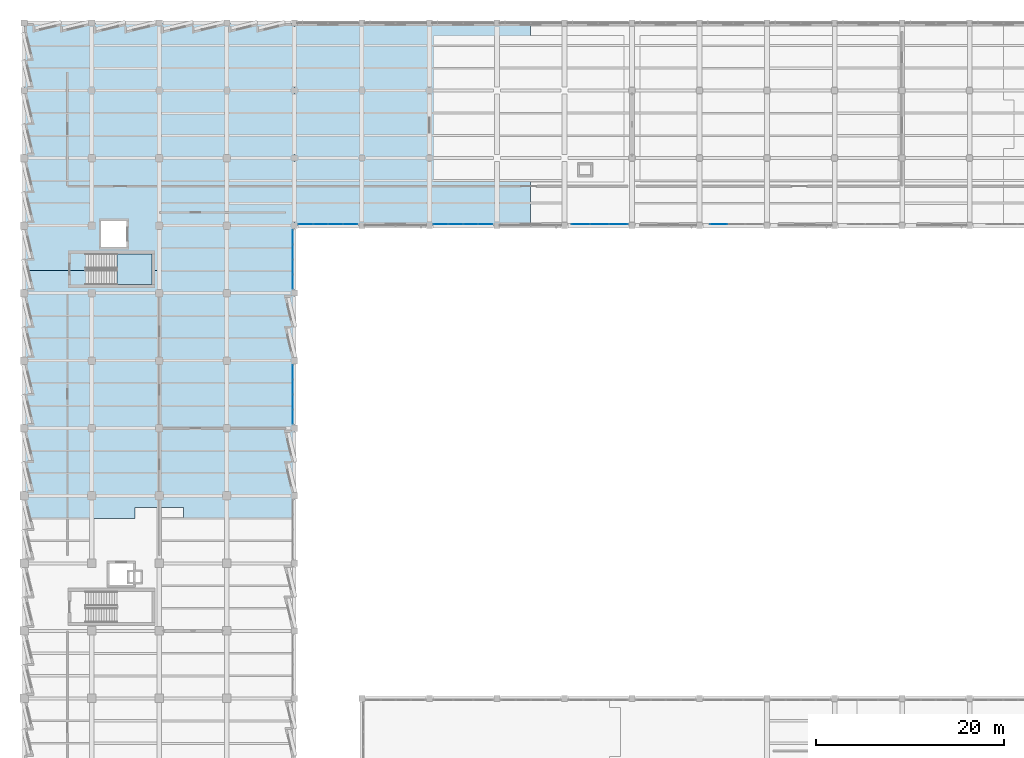
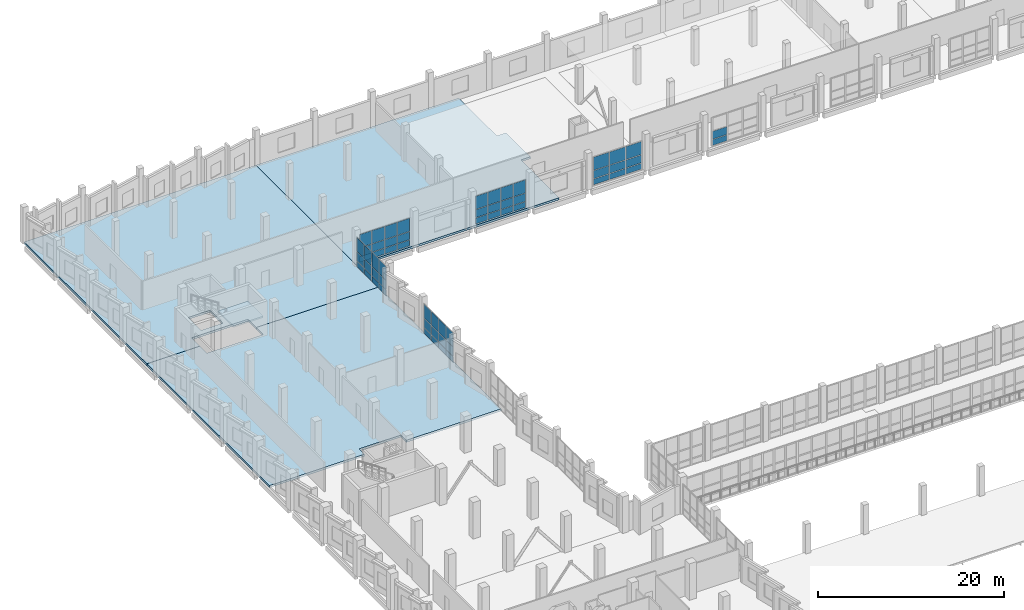
# One storey, part 83 of 127: 59 plates, 4 slabs, 7 elements without a shape of their own.
"""IFC4 building model written with IfcOpenShell, lengths in metres."""

import ifcopenshell
import ifcopenshell.guid

model = None  # the IFC model being written
_history = None  # IfcOwnerHistory: only IFC2X3 demands one
_inside = {}  # id of a spatial element -> (the spatial element, [elements in it])
_under = {}  # id of a project, library or spatial element -> (it, [spatial elements below it])
_declared = {}  # id of a project -> (the project, [libraries it declares])
_typed = {}  # id of a type object -> (the type object, [elements of that type])
_made_of = {}  # id of a material, layer set ... -> (it, [elements and type objects made of it])


def new_model(schema):
    """Start an empty IFC model of exactly this schema.

    Asked for "IFC4X3", IfcOpenShell would pick the latest addendum, in which some entities
    have other attributes; the version numbers below select the first issue.
    IFC2X3 requires an IfcOwnerHistory on every rooted entity: one is made here for all.
    """
    global model, _history
    if schema == "IFC4X3":
        model = ifcopenshell.file(schema_version=(4, 3, 0, 0))
    else:
        model = ifcopenshell.file(schema=schema)
    _inside.clear()
    _under.clear()
    _declared.clear()
    _typed.clear()
    _made_of.clear()
    _history = None
    if model.schema == "IFC2X3":
        org = make("IfcOrganization", Name="unknown")
        user = make(
            "IfcPersonAndOrganization",
            ThePerson=make("IfcPerson", FamilyName="unknown"),
            TheOrganization=org,
        )
        app = make(
            "IfcApplication",
            ApplicationDeveloper=org,
            Version="unknown",
            ApplicationFullName="unknown",
            ApplicationIdentifier="unknown",
        )
        _history = make(
            "IfcOwnerHistory",
            OwningUser=user,
            OwningApplication=app,
            ChangeAction="ADDED",
            CreationDate=0,
        )
    return model


def make(cls, **values):
    """One entity of the class cls with the attributes given. An attribute that is None is left unset."""
    return model.create_entity(
        cls, **{name: value for name, value in values.items() if value is not None}
    )


def rooted(cls, **values):
    """An entity with a GlobalId (a new one), such as an element, a storey or a relation."""
    return make(cls, GlobalId=ifcopenshell.guid.new(), OwnerHistory=_history, **values)


def si_unit(unit_type, name, prefix=None):
    """IfcSIUnit, for example si_unit("LENGTHUNIT", "METRE", prefix="MILLI")."""
    return make("IfcSIUnit", UnitType=unit_type, Prefix=prefix, Name=name)


def assignment(units):
    """IfcUnitAssignment: the units of a project."""
    return None if units is None else make("IfcUnitAssignment", Units=units)


def point(xyz):
    """IfcCartesianPoint."""
    return None if xyz is None else make("IfcCartesianPoint", Coordinates=xyz)


def direction(xyz):
    """IfcDirection."""
    return None if xyz is None else make("IfcDirection", DirectionRatios=xyz)


def frame(location, z_axis=None, x_axis=None):
    """IfcAxis2Placement3D, a coordinate frame: its origin and axes. An axis left out is left unset."""
    return make(
        "IfcAxis2Placement3D",
        Location=point(location),
        Axis=direction(z_axis),
        RefDirection=direction(x_axis),
    )


def frame_2d(location, x_axis=None):
    """IfcAxis2Placement2D, a coordinate frame in the plane: its origin and x axis."""
    return make(
        "IfcAxis2Placement2D", Location=point(location), RefDirection=direction(x_axis)
    )


def origin():
    """The frame at (0, 0, 0) with its axes left unset."""
    return frame((0.0, 0.0, 0.0))


def origin_2d():
    """The frame at (0, 0) in the plane with its x axis left unset."""
    return frame_2d((0.0, 0.0))


def place(relative_to, where):
    """IfcLocalPlacement: puts the frame where relative to a parent placement (None: the world)."""
    return make(
        "IfcLocalPlacement", PlacementRelTo=relative_to, RelativePlacement=where
    )


def context(
    kind, dimensions, precision=None, world=None, true_north=None, identifier=None
):
    """IfcGeometricRepresentationContext, for example the 3D "Model" context."""
    return make(
        "IfcGeometricRepresentationContext",
        ContextIdentifier=identifier,
        ContextType=kind,
        CoordinateSpaceDimension=dimensions,
        Precision=precision,
        WorldCoordinateSystem=world,
        TrueNorth=true_north,
    )


def subcontext(parent, identifier, kind, view, scale=None):
    """IfcGeometricRepresentationSubContext, for example "Body" below "Model"."""
    return make(
        "IfcGeometricRepresentationSubContext",
        ContextIdentifier=identifier,
        ContextType=kind,
        ParentContext=parent,
        TargetScale=scale,
        TargetView=view,
    )


def project(units=None, contexts=None):
    """IfcProject with its units and contexts."""
    return rooted(
        "IfcProject",
        Name="project",
        RepresentationContexts=contexts,
        UnitsInContext=assignment(units),
    )


def spatial(cls, under=None, at=None, **own):
    """A site, building, storey or space (cls), placed at a placement, below another one or the project."""
    s = rooted(cls, ObjectPlacement=at, **own)
    if under is not None:
        _under.setdefault(under.id(), (under, []))[1].append(s)
    return s


def polyline(points):
    """IfcPolyline through the points."""
    return make("IfcPolyline", Points=[point(p) for p in points])


def profile(cls, at=None, kind="AREA", **sizes):
    """A parametric profile (cls). Its sizes go by their IFC names, for example OverallWidth=200.0."""
    return make(cls, ProfileType=kind, Position=at, **sizes)


def rectangle(**sizes):
    """IfcRectangleProfileDef."""
    return profile("IfcRectangleProfileDef", **sizes)


def outline(outer, holes=None, kind="AREA"):
    """IfcArbitraryClosedProfileDef: a profile drawn as a closed curve; with holes, ...WithVoids."""
    if holes is None:
        return make("IfcArbitraryClosedProfileDef", ProfileType=kind, OuterCurve=outer)
    return make(
        "IfcArbitraryProfileDefWithVoids",
        ProfileType=kind,
        OuterCurve=outer,
        InnerCurves=holes,
    )


def extrude(swept, where, along, depth):
    """IfcExtrudedAreaSolid: the profile swept, set in the frame where, extruded along a direction by depth."""
    return make(
        "IfcExtrudedAreaSolid",
        SweptArea=swept,
        Position=where,
        ExtrudedDirection=direction(along),
        Depth=depth,
    )


def shape(context_of_items, identifier, shape_type, items):
    """IfcShapeRepresentation: the items that make up one representation, for example the "Body"."""
    return make(
        "IfcShapeRepresentation",
        ContextOfItems=context_of_items,
        RepresentationIdentifier=identifier,
        RepresentationType=shape_type,
        Items=items,
    )


def material(Name=None, Category=None):
    """IfcMaterial."""
    return make("IfcMaterial", Name=Name, Category=Category)


def layer(
    of_material, thickness, ventilated=None, Name=None, Category=None, Priority=None
):
    """IfcMaterialLayer: one layer of a wall or slab, of a material (None: an air gap)."""
    return make(
        "IfcMaterialLayer",
        Material=of_material,
        LayerThickness=thickness,
        IsVentilated=ventilated,
        Name=Name,
        Category=Category,
        Priority=Priority,
    )


def layer_set(layers, Name=None):
    """IfcMaterialLayerSet."""
    return make("IfcMaterialLayerSet", MaterialLayers=layers, LayerSetName=Name)


def made_of(thing, what):
    """Note that an element or type object is made of a material, layer set ...; save() writes the relation."""
    if what is not None:
        _made_of.setdefault(what.id(), (what, []))[1].append(thing)
    return thing


def type_object(cls, material=None, **own):
    """A type object (cls), such as IfcWallType, which elements share."""
    return made_of(rooted(cls, **own), material)


def element(
    cls,
    number,
    at=None,
    inside=None,
    cuts=None,
    type_object=None,
    material=None,
    context=None,
    identifier="Body",
    shape_type=None,
    held_by="IfcProductDefinitionShape",
    body=None,
    shapes=None,
    **own,
):
    """One element of the class cls, such as IfcWall. Its Tag is "e" and its number.

    at: its placement. inside: the storey or other place that contains it. cuts: it is an
    opening in that element (IfcRelVoidsElement). A single representation is given by context,
    identifier, shape_type and body (its items); several are given by shapes. held_by: the class
    of the entity that holds the representations. save() writes the other relations.
    """
    e = rooted(cls, Tag="e%d" % number, ObjectPlacement=at, **own)
    if body is not None:
        shapes = [shape(context, identifier, shape_type, body)]
    if shapes is not None:
        e.Representation = make(held_by, Representations=shapes)
    if inside is not None:
        _inside.setdefault(inside.id(), (inside, []))[1].append(e)
    if cuts is not None:
        rooted(
            "IfcRelVoidsElement", RelatingBuildingElement=cuts, RelatedOpeningElement=e
        )
    if type_object is not None:
        _typed.setdefault(type_object.id(), (type_object, []))[1].append(e)
    return made_of(e, material)


def aggregate(whole, parts):
    """IfcRelAggregates: a whole, such as a stair, and the parts it consists of."""
    return rooted("IfcRelAggregates", RelatingObject=whole, RelatedObjects=parts)


def save(model, path):
    """Write the relations noted so far, then the file.

    IfcRelAggregates (storeys below a building ...), IfcRelContainedInSpatialStructure (elements
    in a storey), IfcRelDefinesByType, IfcRelAssociatesMaterial and IfcRelDeclares: one each for
    every whole, place, type object, material and project.
    """
    for whole, parts in _under.values():
        aggregate(whole, parts)
    for where, things in _inside.values():
        rooted(
            "IfcRelContainedInSpatialStructure",
            RelatedElements=things,
            RelatingStructure=where,
        )
    for kind, things in _typed.values():
        rooted("IfcRelDefinesByType", RelatedObjects=things, RelatingType=kind)
    for what, things in _made_of.values():
        rooted("IfcRelAssociatesMaterial", RelatedObjects=things, RelatingMaterial=what)
    for by, libraries in _declared.values():
        rooted("IfcRelDeclares", RelatingContext=by, RelatedDefinitions=libraries)
    model.write(path)


model = new_model("IFC4")

# Units and contexts
model_context = context("Model", 3, precision=1e-05, world=origin(), true_north=direction((0.0, 1.0)))
body_context = subcontext(model_context, "Body", "Model", "MODEL_VIEW")
ifc_project = project(units=[si_unit("LENGTHUNIT", "METRE"), si_unit("AREAUNIT", "SQUARE_METRE"), si_unit("VOLUMEUNIT", "CUBIC_METRE"), si_unit("PLANEANGLEUNIT", "RADIAN"), si_unit("MASSUNIT", "GRAM", prefix="KILO")], contexts=[model_context])

# Site, building, storey
site_placement = place(None, origin())
site = spatial("IfcSite", under=ifc_project, at=site_placement, CompositionType="ELEMENT")
building_placement = place(site_placement, origin())
building = spatial("IfcBuilding", under=site, at=building_placement, Name="Kalmorath City Hall", CompositionType="ELEMENT")
storey_placement = place(building_placement, frame((0.0, 0.0, 5.39990234375)))
storey = spatial("IfcBuildingStorey", under=building, at=storey_placement, Name="L01", CompositionType="ELEMENT", Elevation=5.39990234375)

# Slabs
ifc_material_1 = material(Name="Concrete C40/50", Category="concrete")
ifc_layer_1 = layer(ifc_material_1, 0.280029296875)
ifc_layer_set_1 = layer_set([ifc_layer_1], Name="Concrete C40/50")
slab_type_1 = type_object("IfcSlabType", Name="Concrete composite floor slab 280", PredefinedType="FLOOR", material=ifc_layer_set_1)
slab_1_placement = place(storey_placement, frame((0.0, 0.0, -0.27978515625)))
element("IfcSlab", 1, at=slab_1_placement, inside=storey, type_object=slab_type_1, Name="L01 West Sawtooth Wing and Civic Storm Arcade slab FS2-2", PredefinedType="FLOOR", context=body_context, shape_type="SweptSolid", body=[
    extrude(outline(polyline([(17.0, 62.39990234375), (17.0, 63.550048828125), (11.800048828125, 63.550048828125), (11.800048828125, 62.39990234375), (0.0, 62.39990234375), (0.0, 88.800048828125), (6.590087890625, 88.800048828125), (6.590087890625, 87.300048828125), (13.60009765625, 87.300048828125), (13.60009765625, 88.800048828125), (28.800048828125, 88.800048828125), (28.800048828125, 62.39990234375), (17.0, 62.39990234375)])), origin(), (0.0, 0.0, 1.0), 0.27978515625),
])
slab_2_placement = place(storey_placement, frame((0.0, 0.0, -0.27978515625)))
element("IfcSlab", 2, at=slab_2_placement, inside=storey, type_object=slab_type_1, Name="L01 West Sawtooth Wing and Civic Storm Arcade slab FS2-3", PredefinedType="FLOOR", context=body_context, shape_type="SweptSolid", body=[
    extrude(outline(polyline([(28.800048828125, 115.199951171875), (28.800048828125, 88.800048828125), (13.60009765625, 88.800048828125), (13.60009765625, 90.60009765625), (6.590087890625, 90.60009765625), (6.590087890625, 88.800048828125), (0.0, 88.800048828125), (0.0, 115.199951171875), (28.800048828125, 115.199951171875)]), holes=[polyline([(8.199951171875, 94.10009765625), (8.199951171875, 91.300048828125), (10.89990234375, 91.300048828125), (10.89990234375, 94.10009765625), (8.199951171875, 94.10009765625)])]), origin(), (0.0, 0.0, 1.0), 0.27978515625),
])
slab_3_placement = place(storey_placement, frame((0.0, 0.0, -0.27978515625)))
element("IfcSlab", 3, at=slab_3_placement, inside=storey, type_object=slab_type_1, Name="L01 Basalt Rear Committee Wing slab FS2-1", PredefinedType="FLOOR", context=body_context, shape_type="SweptSolid", body=[
    extrude(outline(polyline([(28.800048828125, 115.199951171875), (54.0, 115.199951171875), (54.0, 107.0), (55.14990234375, 107.0), (55.14990234375, 101.800048828125), (54.0, 101.800048828125), (54.0, 93.60009765625), (28.800048828125, 93.60009765625), (28.800048828125, 115.199951171875)])), origin(), (0.0, 0.0, 1.0), 0.27978515625),
])

# Stair, slab
ifc_material_2 = material(Name="Concrete C40/50", Category="concrete")
stair_type = type_object("IfcStairType", Name="Dogleg concrete exit stair 26R x 185mm W1550", PredefinedType="HALF_TURN_STAIR", material=ifc_material_2)
stair_placement = place(storey_placement, origin())
stair = element("IfcStair", 4, at=stair_placement, inside=storey, type_object=stair_type, Name="L01 Protected exit stair ST-4", PredefinedType="HALF_TURN_STAIR")
ifc_material_3 = material(Name="Concrete C40/50", Category="concrete")
ifc_layer_2 = layer(ifc_material_3, 0.199951171875)
ifc_layer_set_2 = layer_set([ifc_layer_2], Name="Concrete C40/50")
slab_type_2 = type_object("IfcSlabType", Name="Concrete stair half-landing slab 200", PredefinedType="LANDING", material=ifc_layer_set_2)
slab_4_placement = place(storey_placement, frame((0.0, 0.0, 2.2001953125)))
slab_4 = element("IfcSlab", 5, at=slab_4_placement, type_object=slab_type_2, Name="ST-4 landing 1", PredefinedType="LANDING", context=body_context, shape_type="SweptSolid", body=[
    extrude(outline(polyline([(9.909912109375, 87.300048828125), (13.60009765625, 87.300048828125), (13.60009765625, 90.60009765625), (9.909912109375, 90.60009765625), (9.909912109375, 87.300048828125)])), origin(), (0.0, 0.0, 1.0), 0.199951171875),
])
aggregate(stair, [slab_4])

# Curtain wall, plates
ifc_material_4 = material(Name="Anodised aluminium and laminated glass", Category="aluminium")
curtain_wall_type_1 = type_object("IfcCurtainWallType", Name="Unitised hurricane curtain wall 5724x3751 M1750", PredefinedType="NOTDEFINED", material=ifc_material_4)
curtain_wall_1_placement = place(storey_placement, origin())
curtain_wall_1 = element("IfcCurtainWall", 6, at=curtain_wall_1_placement, inside=storey, type_object=curtain_wall_type_1, Name="L01 curtain wall CW-57X38M18 #104", PredefinedType="NOTDEFINED")
ifc_material_5 = material(Name="Hurricane laminated low-E glass", Category="glass")
ifc_layer_3 = layer(ifc_material_5, 0.028076171875)
ifc_layer_set_3 = layer_set([ifc_layer_3], Name="Hurricane laminated low-E glass")
plate_type = type_object("IfcPlateType", Name="Courtyard solar-control glazed panel 28", PredefinedType="CURTAIN_PANEL", material=ifc_layer_set_3)
plate_1_placement = place(storey_placement, frame((74.031494140625, 93.760009765625, 0.06005859375), z_axis=(0.0, 0.0, 1.0), x_axis=(-1.0, 0.0, 0.0)))
plate_1 = element("IfcPlate", 7, at=plate_1_placement, type_object=plate_type, Name="CW-57X38M18 panel 3.1", PredefinedType="CURTAIN_PANEL", context=body_context, shape_type="SweptSolid", body=[
    extrude(rectangle(XDim=1.810302734375, YDim=0.028076171875, at=origin_2d()), origin(), (0.0, 0.0, 1.0), 0.760009765625),
])
plate_2_placement = place(storey_placement, frame((74.031494140625, 93.760009765625, 0.880126953125), z_axis=(0.0, 0.0, 1.0), x_axis=(-1.0, 0.0, 0.0)))
plate_2 = element("IfcPlate", 8, at=plate_2_placement, type_object=plate_type, Name="CW-57X38M18 panel 3.2", PredefinedType="CURTAIN_PANEL", context=body_context, shape_type="SweptSolid", body=[
    extrude(rectangle(XDim=1.810302734375, YDim=0.028076171875, at=origin_2d()), origin(), (0.0, 0.0, 1.0), 1.041015625),
])
aggregate(curtain_wall_1, [plate_1, plate_2])

ifc_material_6 = material(Name="Anodised aluminium and laminated glass", Category="aluminium")
curtain_wall_type_2 = type_object("IfcCurtainWallType", Name="Unitised hurricane curtain wall 6077x3751 M1750", PredefinedType="NOTDEFINED", material=ifc_material_6)
curtain_wall_2_placement = place(storey_placement, origin())
curtain_wall_2 = element("IfcCurtainWall", 9, at=curtain_wall_2_placement, inside=storey, type_object=curtain_wall_type_2, Name="L01 curtain wall CW-61X38M18 #105", PredefinedType="NOTDEFINED")
plate_3_placement = place(storey_placement, frame((63.35595703125, 93.760009765625, 0.06005859375), z_axis=(0.0, 0.0, 1.0), x_axis=(-1.0, 0.0, 0.0)))
plate_3 = element("IfcPlate", 10, at=plate_3_placement, type_object=plate_type, Name="CW-61X38M18 panel 1.1", PredefinedType="CURTAIN_PANEL", context=body_context, shape_type="SweptSolid", body=[
    extrude(rectangle(XDim=1.92822265625, YDim=0.028076171875, at=origin_2d()), origin(), (0.0, 0.0, 1.0), 0.760009765625),
])
plate_4_placement = place(storey_placement, frame((63.35595703125, 93.760009765625, 0.880126953125), z_axis=(0.0, 0.0, 1.0), x_axis=(-1.0, 0.0, 0.0)))
plate_4 = element("IfcPlate", 11, at=plate_4_placement, type_object=plate_type, Name="CW-61X38M18 panel 1.2", PredefinedType="CURTAIN_PANEL", context=body_context, shape_type="SweptSolid", body=[
    extrude(rectangle(XDim=1.92822265625, YDim=0.028076171875, at=origin_2d()), origin(), (0.0, 0.0, 1.0), 1.041015625),
])
plate_5_placement = place(storey_placement, frame((63.35595703125, 93.760009765625, 1.981201171875), z_axis=(0.0, 0.0, 1.0), x_axis=(-1.0, 0.0, 0.0)))
plate_5 = element("IfcPlate", 12, at=plate_5_placement, type_object=plate_type, Name="CW-61X38M18 panel 1.3", PredefinedType="CURTAIN_PANEL", context=body_context, shape_type="SweptSolid", body=[
    extrude(rectangle(XDim=1.92822265625, YDim=0.028076171875, at=origin_2d()), origin(), (0.0, 0.0, 1.0), 1.7099609375),
])
plate_6_placement = place(storey_placement, frame((61.34619140625, 93.760009765625, 0.06005859375), z_axis=(0.0, 0.0, 1.0), x_axis=(-1.0, 0.0, 0.0)))
plate_6 = element("IfcPlate", 13, at=plate_6_placement, type_object=plate_type, Name="CW-61X38M18 panel 2.1", PredefinedType="CURTAIN_PANEL", context=body_context, shape_type="SweptSolid", body=[
    extrude(rectangle(XDim=1.960693359375, YDim=0.028076171875, at=origin_2d()), origin(), (0.0, 0.0, 1.0), 0.760009765625),
])
plate_7_placement = place(storey_placement, frame((61.34619140625, 93.760009765625, 0.880126953125), z_axis=(0.0, 0.0, 1.0), x_axis=(-1.0, 0.0, 0.0)))
plate_7 = element("IfcPlate", 14, at=plate_7_placement, type_object=plate_type, Name="CW-61X38M18 panel 2.2", PredefinedType="CURTAIN_PANEL", context=body_context, shape_type="SweptSolid", body=[
    extrude(rectangle(XDim=1.960693359375, YDim=0.028076171875, at=origin_2d()), origin(), (0.0, 0.0, 1.0), 1.041015625),
])
plate_8_placement = place(storey_placement, frame((61.34619140625, 93.760009765625, 1.981201171875), z_axis=(0.0, 0.0, 1.0), x_axis=(-1.0, 0.0, 0.0)))
plate_8 = element("IfcPlate", 15, at=plate_8_placement, type_object=plate_type, Name="CW-61X38M18 panel 2.3", PredefinedType="CURTAIN_PANEL", context=body_context, shape_type="SweptSolid", body=[
    extrude(rectangle(XDim=1.960693359375, YDim=0.028076171875, at=origin_2d()), origin(), (0.0, 0.0, 1.0), 1.7099609375),
])
plate_9_placement = place(storey_placement, frame((59.336669921875, 93.760009765625, 0.06005859375), z_axis=(0.0, 0.0, 1.0), x_axis=(-1.0, 0.0, 0.0)))
plate_9 = element("IfcPlate", 16, at=plate_9_placement, type_object=plate_type, Name="CW-61X38M18 panel 3.1", PredefinedType="CURTAIN_PANEL", context=body_context, shape_type="SweptSolid", body=[
    extrude(rectangle(XDim=1.92822265625, YDim=0.028076171875, at=origin_2d()), origin(), (0.0, 0.0, 1.0), 0.760009765625),
])
plate_10_placement = place(storey_placement, frame((59.336669921875, 93.760009765625, 0.880126953125), z_axis=(0.0, 0.0, 1.0), x_axis=(-1.0, 0.0, 0.0)))
plate_10 = element("IfcPlate", 17, at=plate_10_placement, type_object=plate_type, Name="CW-61X38M18 panel 3.2", PredefinedType="CURTAIN_PANEL", context=body_context, shape_type="SweptSolid", body=[
    extrude(rectangle(XDim=1.92822265625, YDim=0.028076171875, at=origin_2d()), origin(), (0.0, 0.0, 1.0), 1.041015625),
])
plate_11_placement = place(storey_placement, frame((59.336669921875, 93.760009765625, 1.981201171875), z_axis=(0.0, 0.0, 1.0), x_axis=(-1.0, 0.0, 0.0)))
plate_11 = element("IfcPlate", 18, at=plate_11_placement, type_object=plate_type, Name="CW-61X38M18 panel 3.3", PredefinedType="CURTAIN_PANEL", context=body_context, shape_type="SweptSolid", body=[
    extrude(rectangle(XDim=1.92822265625, YDim=0.028076171875, at=origin_2d()), origin(), (0.0, 0.0, 1.0), 1.7099609375),
])
aggregate(curtain_wall_2, [plate_3, plate_4, plate_5, plate_6, plate_7, plate_8, plate_9, plate_10, plate_11])

ifc_material_7 = material(Name="Anodised aluminium and laminated glass", Category="aluminium")
curtain_wall_type_3 = type_object("IfcCurtainWallType", Name="Unitised hurricane curtain wall 6370x3751 M1750", PredefinedType="NOTDEFINED", material=ifc_material_7)
curtain_wall_3_placement = place(storey_placement, origin())
curtain_wall_3 = element("IfcCurtainWall", 19, at=curtain_wall_3_placement, inside=storey, type_object=curtain_wall_type_3, Name="L01 curtain wall CW-64X38M18 #106", PredefinedType="NOTDEFINED")
plate_12_placement = place(storey_placement, frame((49.172607421875, 93.760009765625, 0.06005859375), z_axis=(0.0, 0.0, 1.0), x_axis=(-1.0, 0.0, 0.0)))
plate_12 = element("IfcPlate", 20, at=plate_12_placement, type_object=plate_type, Name="CW-64X38M18 panel 1.1", PredefinedType="CURTAIN_PANEL", context=body_context, shape_type="SweptSolid", body=[
    extrude(rectangle(XDim=1.4951171875, YDim=0.028076171875, at=origin_2d()), origin(), (0.0, 0.0, 1.0), 0.760009765625),
])
plate_13_placement = place(storey_placement, frame((49.172607421875, 93.760009765625, 0.880126953125), z_axis=(0.0, 0.0, 1.0), x_axis=(-1.0, 0.0, 0.0)))
plate_13 = element("IfcPlate", 21, at=plate_13_placement, type_object=plate_type, Name="CW-64X38M18 panel 1.2", PredefinedType="CURTAIN_PANEL", context=body_context, shape_type="SweptSolid", body=[
    extrude(rectangle(XDim=1.4951171875, YDim=0.028076171875, at=origin_2d()), origin(), (0.0, 0.0, 1.0), 1.041015625),
])
plate_14_placement = place(storey_placement, frame((49.172607421875, 93.760009765625, 1.981201171875), z_axis=(0.0, 0.0, 1.0), x_axis=(-1.0, 0.0, 0.0)))
plate_14 = element("IfcPlate", 22, at=plate_14_placement, type_object=plate_type, Name="CW-64X38M18 panel 1.3", PredefinedType="CURTAIN_PANEL", context=body_context, shape_type="SweptSolid", body=[
    extrude(rectangle(XDim=1.4951171875, YDim=0.028076171875, at=origin_2d()), origin(), (0.0, 0.0, 1.0), 1.7099609375),
])
plate_15_placement = place(storey_placement, frame((47.59619140625, 93.760009765625, 0.06005859375), z_axis=(0.0, 0.0, 1.0), x_axis=(-1.0, 0.0, 0.0)))
plate_15 = element("IfcPlate", 23, at=plate_15_placement, type_object=plate_type, Name="CW-64X38M18 panel 2.1", PredefinedType="CURTAIN_PANEL", context=body_context, shape_type="SweptSolid", body=[
    extrude(rectangle(XDim=1.527587890625, YDim=0.028076171875, at=origin_2d()), origin(), (0.0, 0.0, 1.0), 0.760009765625),
])
plate_16_placement = place(storey_placement, frame((47.59619140625, 93.760009765625, 0.880126953125), z_axis=(0.0, 0.0, 1.0), x_axis=(-1.0, 0.0, 0.0)))
plate_16 = element("IfcPlate", 24, at=plate_16_placement, type_object=plate_type, Name="CW-64X38M18 panel 2.2", PredefinedType="CURTAIN_PANEL", context=body_context, shape_type="SweptSolid", body=[
    extrude(rectangle(XDim=1.527587890625, YDim=0.028076171875, at=origin_2d()), origin(), (0.0, 0.0, 1.0), 1.041015625),
])
plate_17_placement = place(storey_placement, frame((47.59619140625, 93.760009765625, 1.981201171875), z_axis=(0.0, 0.0, 1.0), x_axis=(-1.0, 0.0, 0.0)))
plate_17 = element("IfcPlate", 25, at=plate_17_placement, type_object=plate_type, Name="CW-64X38M18 panel 2.3", PredefinedType="CURTAIN_PANEL", context=body_context, shape_type="SweptSolid", body=[
    extrude(rectangle(XDim=1.527587890625, YDim=0.028076171875, at=origin_2d()), origin(), (0.0, 0.0, 1.0), 1.7099609375),
])
plate_18_placement = place(storey_placement, frame((46.003662109375, 93.760009765625, 0.06005859375), z_axis=(0.0, 0.0, 1.0), x_axis=(-1.0, 0.0, 0.0)))
plate_18 = element("IfcPlate", 26, at=plate_18_placement, type_object=plate_type, Name="CW-64X38M18 panel 3.1", PredefinedType="CURTAIN_PANEL", context=body_context, shape_type="SweptSolid", body=[
    extrude(rectangle(XDim=1.527587890625, YDim=0.028076171875, at=origin_2d()), origin(), (0.0, 0.0, 1.0), 0.760009765625),
])
plate_19_placement = place(storey_placement, frame((46.003662109375, 93.760009765625, 0.880126953125), z_axis=(0.0, 0.0, 1.0), x_axis=(-1.0, 0.0, 0.0)))
plate_19 = element("IfcPlate", 27, at=plate_19_placement, type_object=plate_type, Name="CW-64X38M18 panel 3.2", PredefinedType="CURTAIN_PANEL", context=body_context, shape_type="SweptSolid", body=[
    extrude(rectangle(XDim=1.527587890625, YDim=0.028076171875, at=origin_2d()), origin(), (0.0, 0.0, 1.0), 1.041015625),
])
plate_20_placement = place(storey_placement, frame((46.003662109375, 93.760009765625, 1.981201171875), z_axis=(0.0, 0.0, 1.0), x_axis=(-1.0, 0.0, 0.0)))
plate_20 = element("IfcPlate", 28, at=plate_20_placement, type_object=plate_type, Name="CW-64X38M18 panel 3.3", PredefinedType="CURTAIN_PANEL", context=body_context, shape_type="SweptSolid", body=[
    extrude(rectangle(XDim=1.527587890625, YDim=0.028076171875, at=origin_2d()), origin(), (0.0, 0.0, 1.0), 1.7099609375),
])
plate_21_placement = place(storey_placement, frame((44.427490234375, 93.760009765625, 0.06005859375), z_axis=(0.0, 0.0, 1.0), x_axis=(-1.0, 0.0, 0.0)))
plate_21 = element("IfcPlate", 29, at=plate_21_placement, type_object=plate_type, Name="CW-64X38M18 panel 4.1", PredefinedType="CURTAIN_PANEL", context=body_context, shape_type="SweptSolid", body=[
    extrude(rectangle(XDim=1.4951171875, YDim=0.028076171875, at=origin_2d()), origin(), (0.0, 0.0, 1.0), 0.760009765625),
])
plate_22_placement = place(storey_placement, frame((44.427490234375, 93.760009765625, 0.880126953125), z_axis=(0.0, 0.0, 1.0), x_axis=(-1.0, 0.0, 0.0)))
plate_22 = element("IfcPlate", 30, at=plate_22_placement, type_object=plate_type, Name="CW-64X38M18 panel 4.2", PredefinedType="CURTAIN_PANEL", context=body_context, shape_type="SweptSolid", body=[
    extrude(rectangle(XDim=1.4951171875, YDim=0.028076171875, at=origin_2d()), origin(), (0.0, 0.0, 1.0), 1.041015625),
])
plate_23_placement = place(storey_placement, frame((44.427490234375, 93.760009765625, 1.981201171875), z_axis=(0.0, 0.0, 1.0), x_axis=(-1.0, 0.0, 0.0)))
plate_23 = element("IfcPlate", 31, at=plate_23_placement, type_object=plate_type, Name="CW-64X38M18 panel 4.3", PredefinedType="CURTAIN_PANEL", context=body_context, shape_type="SweptSolid", body=[
    extrude(rectangle(XDim=1.4951171875, YDim=0.028076171875, at=origin_2d()), origin(), (0.0, 0.0, 1.0), 1.7099609375),
])
aggregate(curtain_wall_3, [plate_12, plate_13, plate_14, plate_15, plate_16, plate_17, plate_18, plate_19, plate_20, plate_21, plate_22, plate_23])

curtain_wall_4_placement = place(storey_placement, origin())
curtain_wall_4 = element("IfcCurtainWall", 32, at=curtain_wall_4_placement, inside=storey, type_object=curtain_wall_type_3, Name="L01 curtain wall CW-64X38M18 #107", PredefinedType="NOTDEFINED")
plate_24_placement = place(storey_placement, frame((34.7724609375, 93.760009765625, 0.06005859375), z_axis=(0.0, 0.0, 1.0), x_axis=(-1.0, 0.0, 0.0)))
plate_24 = element("IfcPlate", 33, at=plate_24_placement, type_object=plate_type, Name="CW-64X38M18 panel 1.1", PredefinedType="CURTAIN_PANEL", context=body_context, shape_type="SweptSolid", body=[
    extrude(rectangle(XDim=1.4951171875, YDim=0.028076171875, at=origin_2d()), origin(), (0.0, 0.0, 1.0), 0.760009765625),
])
plate_25_placement = place(storey_placement, frame((34.7724609375, 93.760009765625, 0.880126953125), z_axis=(0.0, 0.0, 1.0), x_axis=(-1.0, 0.0, 0.0)))
plate_25 = element("IfcPlate", 34, at=plate_25_placement, type_object=plate_type, Name="CW-64X38M18 panel 1.2", PredefinedType="CURTAIN_PANEL", context=body_context, shape_type="SweptSolid", body=[
    extrude(rectangle(XDim=1.4951171875, YDim=0.028076171875, at=origin_2d()), origin(), (0.0, 0.0, 1.0), 1.041015625),
])
plate_26_placement = place(storey_placement, frame((34.7724609375, 93.760009765625, 1.981201171875), z_axis=(0.0, 0.0, 1.0), x_axis=(-1.0, 0.0, 0.0)))
plate_26 = element("IfcPlate", 35, at=plate_26_placement, type_object=plate_type, Name="CW-64X38M18 panel 1.3", PredefinedType="CURTAIN_PANEL", context=body_context, shape_type="SweptSolid", body=[
    extrude(rectangle(XDim=1.4951171875, YDim=0.028076171875, at=origin_2d()), origin(), (0.0, 0.0, 1.0), 1.7099609375),
])
plate_27_placement = place(storey_placement, frame((33.1962890625, 93.760009765625, 0.06005859375), z_axis=(0.0, 0.0, 1.0), x_axis=(-1.0, 0.0, 0.0)))
plate_27 = element("IfcPlate", 36, at=plate_27_placement, type_object=plate_type, Name="CW-64X38M18 panel 2.1", PredefinedType="CURTAIN_PANEL", context=body_context, shape_type="SweptSolid", body=[
    extrude(rectangle(XDim=1.527587890625, YDim=0.028076171875, at=origin_2d()), origin(), (0.0, 0.0, 1.0), 0.760009765625),
])
plate_28_placement = place(storey_placement, frame((33.1962890625, 93.760009765625, 0.880126953125), z_axis=(0.0, 0.0, 1.0), x_axis=(-1.0, 0.0, 0.0)))
plate_28 = element("IfcPlate", 37, at=plate_28_placement, type_object=plate_type, Name="CW-64X38M18 panel 2.2", PredefinedType="CURTAIN_PANEL", context=body_context, shape_type="SweptSolid", body=[
    extrude(rectangle(XDim=1.527587890625, YDim=0.028076171875, at=origin_2d()), origin(), (0.0, 0.0, 1.0), 1.041015625),
])
plate_29_placement = place(storey_placement, frame((33.1962890625, 93.760009765625, 1.981201171875), z_axis=(0.0, 0.0, 1.0), x_axis=(-1.0, 0.0, 0.0)))
plate_29 = element("IfcPlate", 38, at=plate_29_placement, type_object=plate_type, Name="CW-64X38M18 panel 2.3", PredefinedType="CURTAIN_PANEL", context=body_context, shape_type="SweptSolid", body=[
    extrude(rectangle(XDim=1.527587890625, YDim=0.028076171875, at=origin_2d()), origin(), (0.0, 0.0, 1.0), 1.7099609375),
])
plate_30_placement = place(storey_placement, frame((31.603759765625, 93.760009765625, 0.06005859375), z_axis=(0.0, 0.0, 1.0), x_axis=(-1.0, 0.0, 0.0)))
plate_30 = element("IfcPlate", 39, at=plate_30_placement, type_object=plate_type, Name="CW-64X38M18 panel 3.1", PredefinedType="CURTAIN_PANEL", context=body_context, shape_type="SweptSolid", body=[
    extrude(rectangle(XDim=1.527587890625, YDim=0.028076171875, at=origin_2d()), origin(), (0.0, 0.0, 1.0), 0.760009765625),
])
plate_31_placement = place(storey_placement, frame((31.603759765625, 93.760009765625, 0.880126953125), z_axis=(0.0, 0.0, 1.0), x_axis=(-1.0, 0.0, 0.0)))
plate_31 = element("IfcPlate", 40, at=plate_31_placement, type_object=plate_type, Name="CW-64X38M18 panel 3.2", PredefinedType="CURTAIN_PANEL", context=body_context, shape_type="SweptSolid", body=[
    extrude(rectangle(XDim=1.527587890625, YDim=0.028076171875, at=origin_2d()), origin(), (0.0, 0.0, 1.0), 1.041015625),
])
plate_32_placement = place(storey_placement, frame((31.603759765625, 93.760009765625, 1.981201171875), z_axis=(0.0, 0.0, 1.0), x_axis=(-1.0, 0.0, 0.0)))
plate_32 = element("IfcPlate", 41, at=plate_32_placement, type_object=plate_type, Name="CW-64X38M18 panel 3.3", PredefinedType="CURTAIN_PANEL", context=body_context, shape_type="SweptSolid", body=[
    extrude(rectangle(XDim=1.527587890625, YDim=0.028076171875, at=origin_2d()), origin(), (0.0, 0.0, 1.0), 1.7099609375),
])
plate_33_placement = place(storey_placement, frame((30.027587890625, 93.760009765625, 0.06005859375), z_axis=(0.0, 0.0, 1.0), x_axis=(-1.0, 0.0, 0.0)))
plate_33 = element("IfcPlate", 42, at=plate_33_placement, type_object=plate_type, Name="CW-64X38M18 panel 4.1", PredefinedType="CURTAIN_PANEL", context=body_context, shape_type="SweptSolid", body=[
    extrude(rectangle(XDim=1.4951171875, YDim=0.028076171875, at=origin_2d()), origin(), (0.0, 0.0, 1.0), 0.760009765625),
])
plate_34_placement = place(storey_placement, frame((30.027587890625, 93.760009765625, 0.880126953125), z_axis=(0.0, 0.0, 1.0), x_axis=(-1.0, 0.0, 0.0)))
plate_34 = element("IfcPlate", 43, at=plate_34_placement, type_object=plate_type, Name="CW-64X38M18 panel 4.2", PredefinedType="CURTAIN_PANEL", context=body_context, shape_type="SweptSolid", body=[
    extrude(rectangle(XDim=1.4951171875, YDim=0.028076171875, at=origin_2d()), origin(), (0.0, 0.0, 1.0), 1.041015625),
])
plate_35_placement = place(storey_placement, frame((30.027587890625, 93.760009765625, 1.981201171875), z_axis=(0.0, 0.0, 1.0), x_axis=(-1.0, 0.0, 0.0)))
plate_35 = element("IfcPlate", 44, at=plate_35_placement, type_object=plate_type, Name="CW-64X38M18 panel 4.3", PredefinedType="CURTAIN_PANEL", context=body_context, shape_type="SweptSolid", body=[
    extrude(rectangle(XDim=1.4951171875, YDim=0.028076171875, at=origin_2d()), origin(), (0.0, 0.0, 1.0), 1.7099609375),
])
aggregate(curtain_wall_4, [plate_24, plate_25, plate_26, plate_27, plate_28, plate_29, plate_30, plate_31, plate_32, plate_33, plate_34, plate_35])

ifc_material_8 = material(Name="Anodised aluminium and laminated glass", Category="aluminium")
curtain_wall_type_4 = type_object("IfcCurtainWallType", Name="Unitised hurricane curtain wall 6370x3976 M1750", PredefinedType="NOTDEFINED", material=ifc_material_8)
curtain_wall_5_placement = place(storey_placement, origin())
curtain_wall_5 = element("IfcCurtainWall", 45, at=curtain_wall_5_placement, inside=storey, type_object=curtain_wall_type_4, Name="L01 curtain wall CW-64X40M18 #108", PredefinedType="NOTDEFINED")
plate_36_placement = place(storey_placement, frame((28.639892578125, 92.37255859375, 0.06005859375), z_axis=(0.0, 0.0, 1.0), x_axis=(0.0, -1.0, 0.0)))
plate_36 = element("IfcPlate", 46, at=plate_36_placement, type_object=plate_type, Name="CW-64X40M18 panel 1.1", PredefinedType="CURTAIN_PANEL", context=body_context, shape_type="SweptSolid", body=[
    extrude(rectangle(XDim=1.4951171875, YDim=0.028076171875, at=origin_2d()), origin(), (0.0, 0.0, 1.0), 0.760009765625),
])
plate_37_placement = place(storey_placement, frame((28.639892578125, 92.37255859375, 0.8798828125), z_axis=(0.0, 0.0, 1.0), x_axis=(0.0, -1.0, 0.0)))
plate_37 = element("IfcPlate", 47, at=plate_37_placement, type_object=plate_type, Name="CW-64X40M18 panel 1.2", PredefinedType="CURTAIN_PANEL", context=body_context, shape_type="SweptSolid", body=[
    extrude(rectangle(XDim=1.4951171875, YDim=0.028076171875, at=origin_2d()), origin(), (0.0, 0.0, 1.0), 1.157958984375),
])
plate_38_placement = place(storey_placement, frame((28.639892578125, 92.37255859375, 2.09814453125), z_axis=(0.0, 0.0, 1.0), x_axis=(0.0, -1.0, 0.0)))
plate_38 = element("IfcPlate", 48, at=plate_38_placement, type_object=plate_type, Name="CW-64X40M18 panel 1.3", PredefinedType="CURTAIN_PANEL", context=body_context, shape_type="SweptSolid", body=[
    extrude(rectangle(XDim=1.4951171875, YDim=0.028076171875, at=origin_2d()), origin(), (0.0, 0.0, 1.0), 1.818115234375),
])
plate_39_placement = place(storey_placement, frame((28.639892578125, 90.796142578125, 0.06005859375), z_axis=(0.0, 0.0, 1.0), x_axis=(0.0, -1.0, 0.0)))
plate_39 = element("IfcPlate", 49, at=plate_39_placement, type_object=plate_type, Name="CW-64X40M18 panel 2.1", PredefinedType="CURTAIN_PANEL", context=body_context, shape_type="SweptSolid", body=[
    extrude(rectangle(XDim=1.527587890625, YDim=0.028076171875, at=origin_2d()), origin(), (0.0, 0.0, 1.0), 0.760009765625),
])
plate_40_placement = place(storey_placement, frame((28.639892578125, 90.796142578125, 0.8798828125), z_axis=(0.0, 0.0, 1.0), x_axis=(0.0, -1.0, 0.0)))
plate_40 = element("IfcPlate", 50, at=plate_40_placement, type_object=plate_type, Name="CW-64X40M18 panel 2.2", PredefinedType="CURTAIN_PANEL", context=body_context, shape_type="SweptSolid", body=[
    extrude(rectangle(XDim=1.527587890625, YDim=0.028076171875, at=origin_2d()), origin(), (0.0, 0.0, 1.0), 1.157958984375),
])
plate_41_placement = place(storey_placement, frame((28.639892578125, 90.796142578125, 2.09814453125), z_axis=(0.0, 0.0, 1.0), x_axis=(0.0, -1.0, 0.0)))
plate_41 = element("IfcPlate", 51, at=plate_41_placement, type_object=plate_type, Name="CW-64X40M18 panel 2.3", PredefinedType="CURTAIN_PANEL", context=body_context, shape_type="SweptSolid", body=[
    extrude(rectangle(XDim=1.527587890625, YDim=0.028076171875, at=origin_2d()), origin(), (0.0, 0.0, 1.0), 1.818115234375),
])
plate_42_placement = place(storey_placement, frame((28.639892578125, 89.203857421875, 0.06005859375), z_axis=(0.0, 0.0, 1.0), x_axis=(0.0, -1.0, 0.0)))
plate_42 = element("IfcPlate", 52, at=plate_42_placement, type_object=plate_type, Name="CW-64X40M18 panel 3.1", PredefinedType="CURTAIN_PANEL", context=body_context, shape_type="SweptSolid", body=[
    extrude(rectangle(XDim=1.527587890625, YDim=0.028076171875, at=origin_2d()), origin(), (0.0, 0.0, 1.0), 0.760009765625),
])
plate_43_placement = place(storey_placement, frame((28.639892578125, 89.203857421875, 0.8798828125), z_axis=(0.0, 0.0, 1.0), x_axis=(0.0, -1.0, 0.0)))
plate_43 = element("IfcPlate", 53, at=plate_43_placement, type_object=plate_type, Name="CW-64X40M18 panel 3.2", PredefinedType="CURTAIN_PANEL", context=body_context, shape_type="SweptSolid", body=[
    extrude(rectangle(XDim=1.527587890625, YDim=0.028076171875, at=origin_2d()), origin(), (0.0, 0.0, 1.0), 1.157958984375),
])
plate_44_placement = place(storey_placement, frame((28.639892578125, 89.203857421875, 2.09814453125), z_axis=(0.0, 0.0, 1.0), x_axis=(0.0, -1.0, 0.0)))
plate_44 = element("IfcPlate", 54, at=plate_44_placement, type_object=plate_type, Name="CW-64X40M18 panel 3.3", PredefinedType="CURTAIN_PANEL", context=body_context, shape_type="SweptSolid", body=[
    extrude(rectangle(XDim=1.527587890625, YDim=0.028076171875, at=origin_2d()), origin(), (0.0, 0.0, 1.0), 1.818115234375),
])
plate_45_placement = place(storey_placement, frame((28.639892578125, 87.62744140625, 0.06005859375), z_axis=(0.0, 0.0, 1.0), x_axis=(0.0, -1.0, 0.0)))
plate_45 = element("IfcPlate", 55, at=plate_45_placement, type_object=plate_type, Name="CW-64X40M18 panel 4.1", PredefinedType="CURTAIN_PANEL", context=body_context, shape_type="SweptSolid", body=[
    extrude(rectangle(XDim=1.4951171875, YDim=0.028076171875, at=origin_2d()), origin(), (0.0, 0.0, 1.0), 0.760009765625),
])
plate_46_placement = place(storey_placement, frame((28.639892578125, 87.62744140625, 0.8798828125), z_axis=(0.0, 0.0, 1.0), x_axis=(0.0, -1.0, 0.0)))
plate_46 = element("IfcPlate", 56, at=plate_46_placement, type_object=plate_type, Name="CW-64X40M18 panel 4.2", PredefinedType="CURTAIN_PANEL", context=body_context, shape_type="SweptSolid", body=[
    extrude(rectangle(XDim=1.4951171875, YDim=0.028076171875, at=origin_2d()), origin(), (0.0, 0.0, 1.0), 1.157958984375),
])
plate_47_placement = place(storey_placement, frame((28.639892578125, 87.62744140625, 2.09814453125), z_axis=(0.0, 0.0, 1.0), x_axis=(0.0, -1.0, 0.0)))
plate_47 = element("IfcPlate", 57, at=plate_47_placement, type_object=plate_type, Name="CW-64X40M18 panel 4.3", PredefinedType="CURTAIN_PANEL", context=body_context, shape_type="SweptSolid", body=[
    extrude(rectangle(XDim=1.4951171875, YDim=0.028076171875, at=origin_2d()), origin(), (0.0, 0.0, 1.0), 1.818115234375),
])
aggregate(curtain_wall_5, [plate_36, plate_37, plate_38, plate_39, plate_40, plate_41, plate_42, plate_43, plate_44, plate_45, plate_46, plate_47])

curtain_wall_6_placement = place(storey_placement, origin())
curtain_wall_6 = element("IfcCurtainWall", 58, at=curtain_wall_6_placement, inside=storey, type_object=curtain_wall_type_4, Name="L01 curtain wall CW-64X40M18 #109", PredefinedType="NOTDEFINED")
plate_48_placement = place(storey_placement, frame((28.639892578125, 77.972412109375, 0.06005859375), z_axis=(0.0, 0.0, 1.0), x_axis=(0.0, -1.0, 0.0)))
plate_48 = element("IfcPlate", 59, at=plate_48_placement, type_object=plate_type, Name="CW-64X40M18 panel 1.1", PredefinedType="CURTAIN_PANEL", context=body_context, shape_type="SweptSolid", body=[
    extrude(rectangle(XDim=1.4951171875, YDim=0.028076171875, at=origin_2d()), origin(), (0.0, 0.0, 1.0), 0.760009765625),
])
plate_49_placement = place(storey_placement, frame((28.639892578125, 77.972412109375, 0.8798828125), z_axis=(0.0, 0.0, 1.0), x_axis=(0.0, -1.0, 0.0)))
plate_49 = element("IfcPlate", 60, at=plate_49_placement, type_object=plate_type, Name="CW-64X40M18 panel 1.2", PredefinedType="CURTAIN_PANEL", context=body_context, shape_type="SweptSolid", body=[
    extrude(rectangle(XDim=1.4951171875, YDim=0.028076171875, at=origin_2d()), origin(), (0.0, 0.0, 1.0), 1.157958984375),
])
plate_50_placement = place(storey_placement, frame((28.639892578125, 77.972412109375, 2.09814453125), z_axis=(0.0, 0.0, 1.0), x_axis=(0.0, -1.0, 0.0)))
plate_50 = element("IfcPlate", 61, at=plate_50_placement, type_object=plate_type, Name="CW-64X40M18 panel 1.3", PredefinedType="CURTAIN_PANEL", context=body_context, shape_type="SweptSolid", body=[
    extrude(rectangle(XDim=1.4951171875, YDim=0.028076171875, at=origin_2d()), origin(), (0.0, 0.0, 1.0), 1.818115234375),
])
plate_51_placement = place(storey_placement, frame((28.639892578125, 76.396240234375, 0.06005859375), z_axis=(0.0, 0.0, 1.0), x_axis=(0.0, -1.0, 0.0)))
plate_51 = element("IfcPlate", 62, at=plate_51_placement, type_object=plate_type, Name="CW-64X40M18 panel 2.1", PredefinedType="CURTAIN_PANEL", context=body_context, shape_type="SweptSolid", body=[
    extrude(rectangle(XDim=1.527587890625, YDim=0.028076171875, at=origin_2d()), origin(), (0.0, 0.0, 1.0), 0.760009765625),
])
plate_52_placement = place(storey_placement, frame((28.639892578125, 76.396240234375, 0.8798828125), z_axis=(0.0, 0.0, 1.0), x_axis=(0.0, -1.0, 0.0)))
plate_52 = element("IfcPlate", 63, at=plate_52_placement, type_object=plate_type, Name="CW-64X40M18 panel 2.2", PredefinedType="CURTAIN_PANEL", context=body_context, shape_type="SweptSolid", body=[
    extrude(rectangle(XDim=1.527587890625, YDim=0.028076171875, at=origin_2d()), origin(), (0.0, 0.0, 1.0), 1.157958984375),
])
plate_53_placement = place(storey_placement, frame((28.639892578125, 76.396240234375, 2.09814453125), z_axis=(0.0, 0.0, 1.0), x_axis=(0.0, -1.0, 0.0)))
plate_53 = element("IfcPlate", 64, at=plate_53_placement, type_object=plate_type, Name="CW-64X40M18 panel 2.3", PredefinedType="CURTAIN_PANEL", context=body_context, shape_type="SweptSolid", body=[
    extrude(rectangle(XDim=1.527587890625, YDim=0.028076171875, at=origin_2d()), origin(), (0.0, 0.0, 1.0), 1.818115234375),
])
plate_54_placement = place(storey_placement, frame((28.639892578125, 74.8037109375, 0.06005859375), z_axis=(0.0, 0.0, 1.0), x_axis=(0.0, -1.0, 0.0)))
plate_54 = element("IfcPlate", 65, at=plate_54_placement, type_object=plate_type, Name="CW-64X40M18 panel 3.1", PredefinedType="CURTAIN_PANEL", context=body_context, shape_type="SweptSolid", body=[
    extrude(rectangle(XDim=1.527587890625, YDim=0.028076171875, at=origin_2d()), origin(), (0.0, 0.0, 1.0), 0.760009765625),
])
plate_55_placement = place(storey_placement, frame((28.639892578125, 74.8037109375, 0.8798828125), z_axis=(0.0, 0.0, 1.0), x_axis=(0.0, -1.0, 0.0)))
plate_55 = element("IfcPlate", 66, at=plate_55_placement, type_object=plate_type, Name="CW-64X40M18 panel 3.2", PredefinedType="CURTAIN_PANEL", context=body_context, shape_type="SweptSolid", body=[
    extrude(rectangle(XDim=1.527587890625, YDim=0.028076171875, at=origin_2d()), origin(), (0.0, 0.0, 1.0), 1.157958984375),
])
plate_56_placement = place(storey_placement, frame((28.639892578125, 74.8037109375, 2.09814453125), z_axis=(0.0, 0.0, 1.0), x_axis=(0.0, -1.0, 0.0)))
plate_56 = element("IfcPlate", 67, at=plate_56_placement, type_object=plate_type, Name="CW-64X40M18 panel 3.3", PredefinedType="CURTAIN_PANEL", context=body_context, shape_type="SweptSolid", body=[
    extrude(rectangle(XDim=1.527587890625, YDim=0.028076171875, at=origin_2d()), origin(), (0.0, 0.0, 1.0), 1.818115234375),
])
plate_57_placement = place(storey_placement, frame((28.639892578125, 73.2275390625, 0.06005859375), z_axis=(0.0, 0.0, 1.0), x_axis=(0.0, -1.0, 0.0)))
plate_57 = element("IfcPlate", 68, at=plate_57_placement, type_object=plate_type, Name="CW-64X40M18 panel 4.1", PredefinedType="CURTAIN_PANEL", context=body_context, shape_type="SweptSolid", body=[
    extrude(rectangle(XDim=1.4951171875, YDim=0.028076171875, at=origin_2d()), origin(), (0.0, 0.0, 1.0), 0.760009765625),
])
plate_58_placement = place(storey_placement, frame((28.639892578125, 73.2275390625, 0.8798828125), z_axis=(0.0, 0.0, 1.0), x_axis=(0.0, -1.0, 0.0)))
plate_58 = element("IfcPlate", 69, at=plate_58_placement, type_object=plate_type, Name="CW-64X40M18 panel 4.2", PredefinedType="CURTAIN_PANEL", context=body_context, shape_type="SweptSolid", body=[
    extrude(rectangle(XDim=1.4951171875, YDim=0.028076171875, at=origin_2d()), origin(), (0.0, 0.0, 1.0), 1.157958984375),
])
plate_59_placement = place(storey_placement, frame((28.639892578125, 73.2275390625, 2.09814453125), z_axis=(0.0, 0.0, 1.0), x_axis=(0.0, -1.0, 0.0)))
plate_59 = element("IfcPlate", 70, at=plate_59_placement, type_object=plate_type, Name="CW-64X40M18 panel 4.3", PredefinedType="CURTAIN_PANEL", context=body_context, shape_type="SweptSolid", body=[
    extrude(rectangle(XDim=1.4951171875, YDim=0.028076171875, at=origin_2d()), origin(), (0.0, 0.0, 1.0), 1.818115234375),
])
aggregate(curtain_wall_6, [plate_48, plate_49, plate_50, plate_51, plate_52, plate_53, plate_54, plate_55, plate_56, plate_57, plate_58, plate_59])

save(model, "model.ifc")
